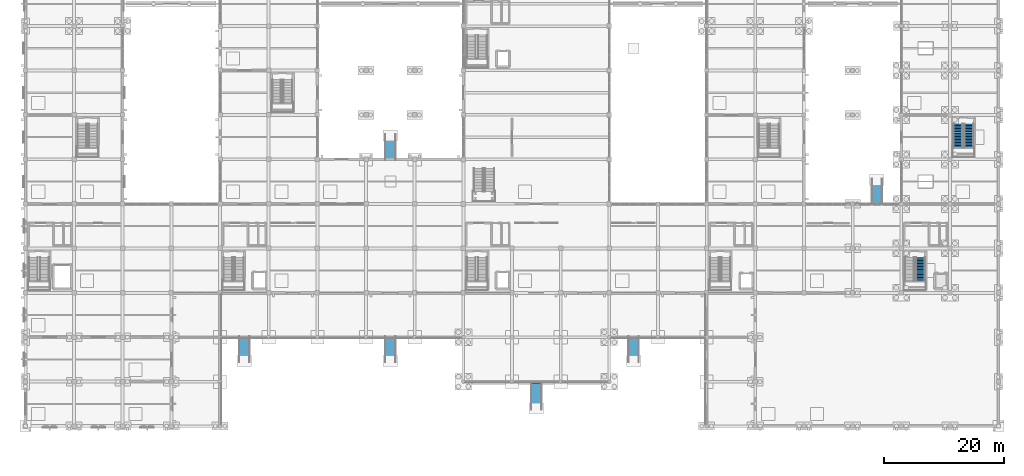
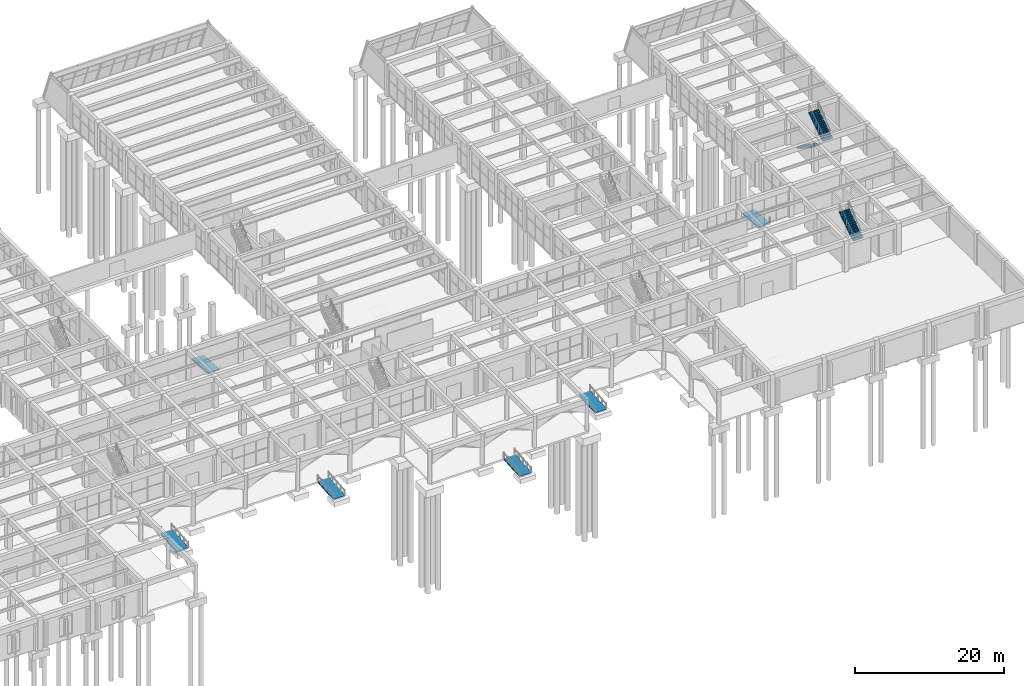
# One storey, part 132 of 140: 6 ramp flights, 3 stair flights, 8 elements without a shape of their own.
"""IFC4 building model written with IfcOpenShell, lengths in metres."""

from ifc_helpers import new_model, si_unit, direction, frame, origin, place, context, subcontext, project, spatial, polyline, outline, extrude, material, layer, layer_set, type_object, element, aggregate, save


model = new_model("IFC4")

# Units and contexts
model_context = context("Model", 3, precision=1e-05, world=origin(), true_north=direction((0.0, 1.0)))
body_context = subcontext(model_context, "Body", "Model", "MODEL_VIEW")
ifc_project = project(units=[si_unit("LENGTHUNIT", "METRE"), si_unit("AREAUNIT", "SQUARE_METRE"), si_unit("VOLUMEUNIT", "CUBIC_METRE"), si_unit("PLANEANGLEUNIT", "RADIAN"), si_unit("MASSUNIT", "GRAM", prefix="KILO")], contexts=[model_context])

# Site, building, storey
site_placement = place(None, origin())
site = spatial("IfcSite", under=ifc_project, at=site_placement, CompositionType="ELEMENT")
building_placement = place(site_placement, origin())
building = spatial("IfcBuilding", under=site, at=building_placement, Name="Cimatlan Art Gallery", CompositionType="ELEMENT")
storey_placement = place(building_placement, origin())
storey = spatial("IfcBuildingStorey", under=building, at=storey_placement, Name="L00", CompositionType="ELEMENT", Elevation=0.0)

# Stair, stair flight
ifc_material = material(Name="Concrete C35/45", Category="concrete")
stair_type = type_object("IfcStairType", Name="STR-HALF-155-540", PredefinedType="HALF_TURN_STAIR", material=ifc_material)
stair_1_placement = place(storey_placement, origin())
stair_1 = element("IfcStair", 1, at=stair_1_placement, inside=storey, type_object=stair_type, Name="STR-C5-L00", PredefinedType="HALF_TURN_STAIR")
stair_flight_type = type_object("IfcStairFlightType", Name="STF-155-16R-255", PredefinedType="STRAIGHT", material=ifc_material)
stair_flight_1_placement = place(storey_placement, frame((151.0048828125, 25.955078125, 2.699951171875), z_axis=(0.0, 0.0, 1.0), x_axis=(0.0, 1.0, 0.0)))
stair_flight_1 = element("IfcStairFlight", 2, at=stair_flight_1_placement, type_object=stair_flight_type, Name="STR-C5-L00-F2", NumberOfRisers=16, NumberOfTreads=15, PredefinedType="STRAIGHT", RiserHeight=0.16875, TreadLength=0.255, context=body_context, shape_type="SweptSolid", body=[
    extrude(outline(polyline([(0.0, 0.0), (0.0, 0.168701171875), (0.2548828125, 0.168701171875), (0.2548828125, 0.33740234375), (0.510009765625, 0.33740234375), (0.510009765625, 0.50634765625), (0.764892578125, 0.50634765625), (0.764892578125, 0.675048828125), (1.02001953125, 0.675048828125), (1.02001953125, 0.84375), (1.27490234375, 0.84375), (1.27490234375, 1.012451171875), (1.530029296875, 1.012451171875), (1.530029296875, 1.18115234375), (1.784912109375, 1.18115234375), (1.784912109375, 1.35009765625), (2.0400390625, 1.35009765625), (2.0400390625, 1.518798828125), (2.294921875, 1.518798828125), (2.294921875, 1.6875), (2.550048828125, 1.6875), (2.550048828125, 1.856201171875), (2.804931640625, 1.856201171875), (2.804931640625, 2.02490234375), (3.06005859375, 2.02490234375), (3.06005859375, 2.19384765625), (3.31494140625, 2.19384765625), (3.31494140625, 2.362548828125), (3.570068359375, 2.362548828125), (3.570068359375, 2.53125), (3.824951171875, 2.53125), (3.824951171875, 2.699951171875), (3.824951171875, 2.3154296875), (0.325927734375, 0.0), (0.0, 0.0)])), frame((0.0, 0.77490234375, 0.0), z_axis=(0.0, -1.0, 0.0), x_axis=(1.0, 0.0, 0.0)), (0.0, 0.0, 1.0), 1.550048828125),
])
aggregate(stair_1, [stair_flight_1])

# Stair, stair flights
stair_2_placement = place(storey_placement, origin())
stair_2 = element("IfcStair", 3, at=stair_2_placement, inside=storey, type_object=stair_type, Name="STR-C10-L00", PredefinedType="HALF_TURN_STAIR")
stair_flight_2_placement = place(storey_placement, frame((157.235107421875, 51.97998046875, 0.0), z_axis=(0.0, 0.0, 1.0), x_axis=(0.0, -1.0, 0.0)))
stair_flight_2 = element("IfcStairFlight", 4, at=stair_flight_2_placement, type_object=stair_flight_type, Name="STR-C10-L00-F1", NumberOfRisers=16, NumberOfTreads=15, PredefinedType="STRAIGHT", RiserHeight=0.16875, TreadLength=0.255, context=body_context, shape_type="SweptSolid", body=[
    extrude(outline(polyline([(0.0, 0.0), (0.0, 0.168701171875), (0.2548828125, 0.168701171875), (0.2548828125, 0.33740234375), (0.510009765625, 0.33740234375), (0.510009765625, 0.50634765625), (0.764892578125, 0.50634765625), (0.764892578125, 0.675048828125), (1.02001953125, 0.675048828125), (1.02001953125, 0.84375), (1.27490234375, 0.84375), (1.27490234375, 1.012451171875), (1.530029296875, 1.012451171875), (1.530029296875, 1.18115234375), (1.784912109375, 1.18115234375), (1.784912109375, 1.35009765625), (2.0400390625, 1.35009765625), (2.0400390625, 1.518798828125), (2.294921875, 1.518798828125), (2.294921875, 1.6875), (2.550048828125, 1.6875), (2.550048828125, 1.856201171875), (2.804931640625, 1.856201171875), (2.804931640625, 2.02490234375), (3.06005859375, 2.02490234375), (3.06005859375, 2.19384765625), (3.31494140625, 2.19384765625), (3.31494140625, 2.362548828125), (3.570068359375, 2.362548828125), (3.570068359375, 2.53125), (3.824951171875, 2.53125), (3.824951171875, 2.699951171875), (3.824951171875, 2.3154296875), (0.325927734375, 0.0), (0.0, 0.0)])), frame((0.0, 0.77490234375, 0.0), z_axis=(0.0, -1.0, 0.0), x_axis=(1.0, 0.0, 0.0)), (0.0, 0.0, 1.0), 1.550048828125),
])
stair_flight_3_placement = place(storey_placement, frame((159.10498046875, 48.155029296875, 2.699951171875), z_axis=(0.0, 0.0, 1.0), x_axis=(0.0, 1.0, 0.0)))
stair_flight_3 = element("IfcStairFlight", 5, at=stair_flight_3_placement, type_object=stair_flight_type, Name="STR-C10-L00-F2", NumberOfRisers=16, NumberOfTreads=15, PredefinedType="STRAIGHT", RiserHeight=0.16875, TreadLength=0.255, context=body_context, shape_type="SweptSolid", body=[
    extrude(outline(polyline([(0.0, 0.0), (0.0, 0.168701171875), (0.2548828125, 0.168701171875), (0.2548828125, 0.33740234375), (0.510009765625, 0.33740234375), (0.510009765625, 0.50634765625), (0.764892578125, 0.50634765625), (0.764892578125, 0.675048828125), (1.02001953125, 0.675048828125), (1.02001953125, 0.84375), (1.27490234375, 0.84375), (1.27490234375, 1.012451171875), (1.530029296875, 1.012451171875), (1.530029296875, 1.18115234375), (1.784912109375, 1.18115234375), (1.784912109375, 1.35009765625), (2.0400390625, 1.35009765625), (2.0400390625, 1.518798828125), (2.294921875, 1.518798828125), (2.294921875, 1.6875), (2.550048828125, 1.6875), (2.550048828125, 1.856201171875), (2.804931640625, 1.856201171875), (2.804931640625, 2.02490234375), (3.06005859375, 2.02490234375), (3.06005859375, 2.19384765625), (3.31494140625, 2.19384765625), (3.31494140625, 2.362548828125), (3.570068359375, 2.362548828125), (3.570068359375, 2.53125), (3.824951171875, 2.53125), (3.824951171875, 2.699951171875), (3.824951171875, 2.3154296875), (0.325927734375, 0.0), (0.0, 0.0)])), frame((0.0, 0.77490234375, 0.0), z_axis=(0.0, -1.0, 0.0), x_axis=(1.0, 0.0, 0.0)), (0.0, 0.0, 1.0), 1.550048828125),
])
aggregate(stair_2, [stair_flight_2, stair_flight_3])

# Ramp, ramp flight
ramp_type = type_object("IfcRampType", Name="RMP-VIS-1800", PredefinedType="STRAIGHT_RUN_RAMP", material=ifc_material)
ramp_1_placement = place(storey_placement, origin())
ramp_1 = element("IfcRamp", 6, at=ramp_1_placement, inside=storey, type_object=ramp_type, Name="RMP-01", PredefinedType="STRAIGHT_RUN_RAMP")
ifc_layer = layer(ifc_material, 0.219970703125)
ifc_layer_set = layer_set([ifc_layer], Name="Concrete C35/45")
ramp_flight_type = type_object("IfcRampFlightType", Name="RMF-VIS-4320", PredefinedType="STRAIGHT", material=ifc_layer_set)
ramp_flight_1_placement = place(storey_placement, frame((38.449951171875, 12.320068359375, -0.360107421875), z_axis=(0.0, 0.0, 1.0), x_axis=(0.0, 1.0, 0.0)))
ramp_flight_1 = element("IfcRampFlight", 7, at=ramp_flight_1_placement, type_object=ramp_flight_type, Name="RMP-01-FL1", PredefinedType="STRAIGHT", context=body_context, shape_type="SweptSolid", body=[
    extrude(outline(polyline([(0.0, 0.0), (4.320068359375, 0.360107421875), (4.320068359375, 0.14013671875), (0.0, -0.219970703125), (0.0, 0.0)])), frame((0.0, 0.89990234375, 0.0), z_axis=(0.0, -1.0, 0.0), x_axis=(1.0, 0.0, 0.0)), (0.0, 0.0, 1.0), 1.800048828125),
])
aggregate(ramp_1, [ramp_flight_1])

ramp_2_placement = place(storey_placement, origin())
ramp_2 = element("IfcRamp", 8, at=ramp_2_placement, inside=storey, type_object=ramp_type, Name="RMP-02", PredefinedType="STRAIGHT_RUN_RAMP")
ramp_flight_2_placement = place(storey_placement, frame((62.75, 12.320068359375, -0.360107421875), z_axis=(0.0, 0.0, 1.0), x_axis=(0.0, 1.0, 0.0)))
ramp_flight_2 = element("IfcRampFlight", 9, at=ramp_flight_2_placement, type_object=ramp_flight_type, Name="RMP-02-FL1", PredefinedType="STRAIGHT", context=body_context, shape_type="SweptSolid", body=[
    extrude(outline(polyline([(0.0, 0.0), (4.320068359375, 0.360107421875), (4.320068359375, 0.14013671875), (0.0, -0.219970703125), (0.0, 0.0)])), frame((0.0, 0.89990234375, 0.0), z_axis=(0.0, -1.0, 0.0), x_axis=(1.0, 0.0, 0.0)), (0.0, 0.0, 1.0), 1.800048828125),
])
aggregate(ramp_2, [ramp_flight_2])

ramp_3_placement = place(storey_placement, origin())
ramp_3 = element("IfcRamp", 10, at=ramp_3_placement, inside=storey, type_object=ramp_type, Name="RMP-03", PredefinedType="STRAIGHT_RUN_RAMP")
ramp_flight_3_placement = place(storey_placement, frame((87.050048828125, 4.47998046875, -0.360107421875), z_axis=(0.0, 0.0, 1.0), x_axis=(0.0, 1.0, 0.0)))
ramp_flight_3 = element("IfcRampFlight", 11, at=ramp_flight_3_placement, type_object=ramp_flight_type, Name="RMP-03-FL1", PredefinedType="STRAIGHT", context=body_context, shape_type="SweptSolid", body=[
    extrude(outline(polyline([(0.0, 0.0), (4.320068359375, 0.360107421875), (4.320068359375, 0.14013671875), (0.0, -0.219970703125), (0.0, 0.0)])), frame((0.0, 0.89990234375, 0.0), z_axis=(0.0, -1.0, 0.0), x_axis=(1.0, 0.0, 0.0)), (0.0, 0.0, 1.0), 1.800048828125),
])
aggregate(ramp_3, [ramp_flight_3])

ramp_4_placement = place(storey_placement, origin())
ramp_4 = element("IfcRamp", 12, at=ramp_4_placement, inside=storey, type_object=ramp_type, Name="RMP-04", PredefinedType="STRAIGHT_RUN_RAMP")
ramp_flight_4_placement = place(storey_placement, frame((103.25, 12.320068359375, -0.360107421875), z_axis=(0.0, 0.0, 1.0), x_axis=(0.0, 1.0, 0.0)))
ramp_flight_4 = element("IfcRampFlight", 13, at=ramp_flight_4_placement, type_object=ramp_flight_type, Name="RMP-04-FL1", PredefinedType="STRAIGHT", context=body_context, shape_type="SweptSolid", body=[
    extrude(outline(polyline([(0.0, 0.0), (4.320068359375, 0.360107421875), (4.320068359375, 0.14013671875), (0.0, -0.219970703125), (0.0, 0.0)])), frame((0.0, 0.89990234375, 0.0), z_axis=(0.0, -1.0, 0.0), x_axis=(1.0, 0.0, 0.0)), (0.0, 0.0, 1.0), 1.800048828125),
])
aggregate(ramp_4, [ramp_flight_4])

ramp_5_placement = place(storey_placement, origin())
ramp_5 = element("IfcRamp", 14, at=ramp_5_placement, inside=storey, type_object=ramp_type, Name="RMP-05", PredefinedType="STRAIGHT_RUN_RAMP")
ramp_flight_5_placement = place(storey_placement, frame((62.75, 50.280029296875, -0.360107421875), z_axis=(0.0, 0.0, 1.0), x_axis=(0.0, -1.0, 0.0)))
ramp_flight_5 = element("IfcRampFlight", 15, at=ramp_flight_5_placement, type_object=ramp_flight_type, Name="RMP-05-FL1", PredefinedType="STRAIGHT", context=body_context, shape_type="SweptSolid", body=[
    extrude(outline(polyline([(0.0, 0.0), (4.320068359375, 0.360107421875), (4.320068359375, 0.14013671875), (0.0, -0.219970703125), (0.0, 0.0)])), frame((0.0, 0.89990234375, 0.0), z_axis=(0.0, -1.0, 0.0), x_axis=(1.0, 0.0, 0.0)), (0.0, 0.0, 1.0), 1.800048828125),
])
aggregate(ramp_5, [ramp_flight_5])

ramp_6_placement = place(storey_placement, origin())
ramp_6 = element("IfcRamp", 16, at=ramp_6_placement, inside=storey, type_object=ramp_type, Name="RMP-06", PredefinedType="STRAIGHT_RUN_RAMP")
ramp_flight_6_placement = place(storey_placement, frame((143.75, 42.8798828125, -0.360107421875), z_axis=(0.0, 0.0, 1.0), x_axis=(0.0, -1.0, 0.0)))
ramp_flight_6 = element("IfcRampFlight", 17, at=ramp_flight_6_placement, type_object=ramp_flight_type, Name="RMP-06-FL1", PredefinedType="STRAIGHT", context=body_context, shape_type="SweptSolid", body=[
    extrude(outline(polyline([(0.0, 0.0), (4.320068359375, 0.360107421875), (4.320068359375, 0.14013671875), (0.0, -0.219970703125), (0.0, 0.0)])), frame((0.0, 0.89990234375, 0.0), z_axis=(0.0, -1.0, 0.0), x_axis=(1.0, 0.0, 0.0)), (0.0, 0.0, 1.0), 1.800048828125),
])
aggregate(ramp_6, [ramp_flight_6])

save(model, "model.ifc")
